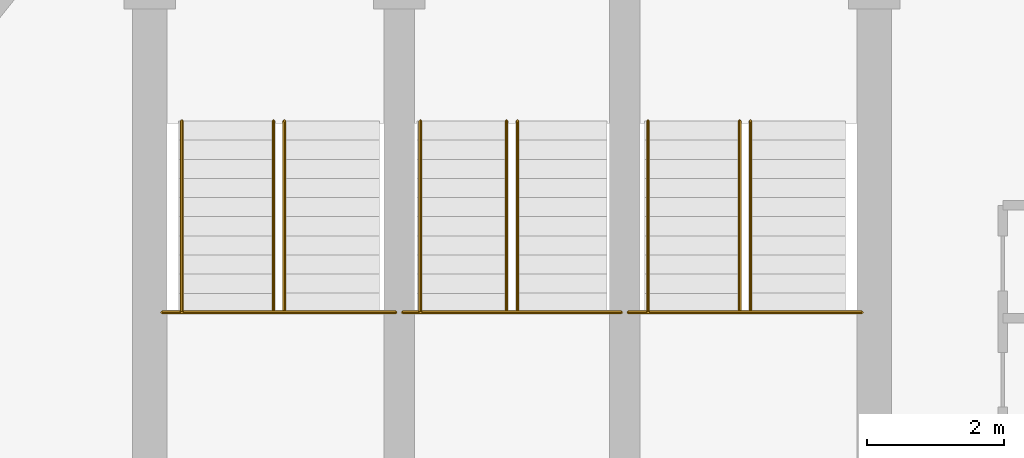
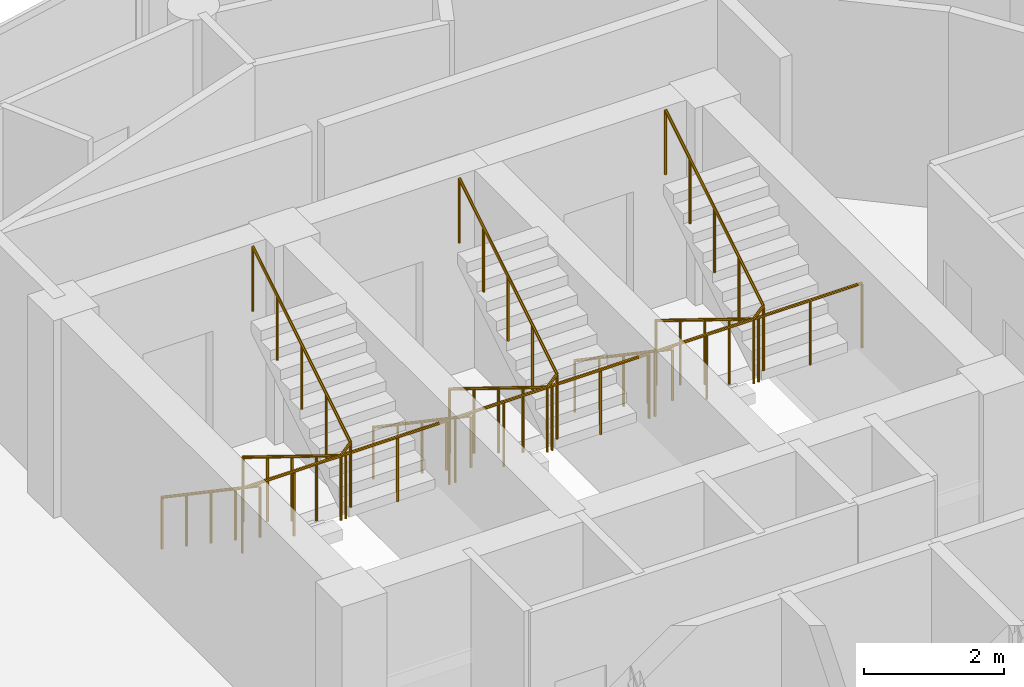
# One storey, part 24 of 24: 9 railings.
"""IFC4 building model written with IfcOpenShell, lengths in metres."""

from ifc_helpers import new_model, si_unit, direction, frame, origin, place, context, subcontext, project, spatial, polyline, outline, extrude, material, type_object, element, save


model = new_model("IFC4")

# Units and contexts
model_context = context("Model", 3, precision=1e-05, world=origin(), true_north=direction((0.0, 1.0)))
body_context = subcontext(model_context, "Body", "Model", "MODEL_VIEW")
ifc_project = project(units=[si_unit("LENGTHUNIT", "METRE"), si_unit("AREAUNIT", "SQUARE_METRE"), si_unit("VOLUMEUNIT", "CUBIC_METRE"), si_unit("PLANEANGLEUNIT", "RADIAN"), si_unit("MASSUNIT", "GRAM", prefix="KILO")], contexts=[model_context])

# Site, building, storey
site_placement = place(None, origin())
site = spatial("IfcSite", under=ifc_project, at=site_placement, CompositionType="ELEMENT")
building_placement = place(site_placement, origin())
building = spatial("IfcBuilding", under=site, at=building_placement, Name="Nuhasar Tower", CompositionType="ELEMENT")
storey_placement = place(building_placement, frame((0.0, 0.0, 297.39990234375)))
storey = spatial("IfcBuildingStorey", under=building, at=storey_placement, Name="L74", CompositionType="ELEMENT", Elevation=297.39990234375)

# Railings
ifc_material_1 = material(Name="Steel S355", Category="steel")
railing_type_1 = type_object("IfcRailingType", Name="RLG-STAIR-GUARD-1150", PredefinedType="GUARDRAIL", material=ifc_material_1)
railing_1_placement = place(storey_placement, frame((33.8798828125, 32.485107421875, 1.900146484375)))
element("IfcRailing", 1, at=railing_1_placement, inside=storey, type_object=railing_type_1, Name="L74 Stair ST-01 Guardrail LND", PredefinedType="GUARDRAIL", context=body_context, shape_type="SweptSolid", body=[
    extrude(outline(polyline([(0.024169921875, 0.0), (0.01708984375, 0.01708984375), (0.0, 0.024169921875), (-0.01708984375, 0.01708984375), (-0.024169921875, 0.0), (-0.01708984375, -0.01708984375), (0.0, -0.024169921875), (0.01708984375, -0.01708984375), (0.024169921875, 0.0)])), frame((0.0, 0.0, 1.1259765625), z_axis=(1.0, 0.0, 0.0), x_axis=(0.0, 1.0, 0.0)), (0.0, 0.0, 1.0), 3.420166015625),
    extrude(outline(polyline([(0.02099609375, 0.0), (0.014892578125, 0.014892578125), (0.0, 0.02099609375), (-0.014892578125, 0.014892578125), (-0.02099609375, 0.0), (-0.014892578125, -0.014892578125), (0.0, -0.02099609375), (0.014892578125, -0.014892578125), (0.02099609375, 0.0)])), origin(), (0.0, 0.0, 1.0), 1.101806640625),
    extrude(outline(polyline([(0.02099609375, 0.0), (0.014892578125, 0.014892578125), (0.0, 0.02099609375), (-0.014892578125, 0.014892578125), (-0.02099609375, 0.0), (-0.014892578125, -0.014892578125), (0.0, -0.02099609375), (0.014892578125, -0.014892578125), (0.02099609375, 0.0)])), frame((0.85498046875, 0.0, 0.0)), (0.0, 0.0, 1.0), 1.101806640625),
    extrude(outline(polyline([(0.02099609375, 0.0), (0.014892578125, 0.014892578125), (0.0, 0.02099609375), (-0.014892578125, 0.014892578125), (-0.02099609375, 0.0), (-0.014892578125, -0.014892578125), (0.0, -0.02099609375), (0.014892578125, -0.014892578125), (0.02099609375, 0.0)])), frame((1.7099609375, 0.0, 0.0)), (0.0, 0.0, 1.0), 1.101806640625),
    extrude(outline(polyline([(0.02099609375, 0.0), (0.014892578125, 0.014892578125), (0.0, 0.02099609375), (-0.014892578125, 0.014892578125), (-0.02099609375, 0.0), (-0.014892578125, -0.014892578125), (0.0, -0.02099609375), (0.014892578125, -0.014892578125), (0.02099609375, 0.0)])), frame((2.565185546875, 0.0, 0.0)), (0.0, 0.0, 1.0), 1.101806640625),
    extrude(outline(polyline([(0.02099609375, 0.0), (0.014892578125, 0.014892578125), (0.0, 0.02099609375), (-0.014892578125, 0.014892578125), (-0.02099609375, 0.0), (-0.014892578125, -0.014892578125), (0.0, -0.02099609375), (0.014892578125, -0.014892578125), (0.02099609375, 0.0)])), frame((3.420166015625, 0.0, 0.0)), (0.0, 0.0, 1.0), 1.101806640625),
])
railing_2_placement = place(storey_placement, frame((35.510009765625, 35.284912109375, 0.173095703125)))
element("IfcRailing", 2, at=railing_2_placement, inside=storey, type_object=railing_type_1, Name="L74 Stair ST-01 Guardrail SLT", PredefinedType="GUARDRAIL", context=body_context, shape_type="SweptSolid", body=[
    extrude(outline(polyline([(0.024169921875, 0.0), (0.01708984375, 0.01708984375), (0.0, 0.024169921875), (-0.01708984375, 0.01708984375), (-0.024169921875, 0.0), (-0.01708984375, -0.01708984375), (0.0, -0.024169921875), (0.01708984375, -0.01708984375), (0.024169921875, 0.0)])), frame((0.0, 0.0, 1.1259765625), z_axis=(0.0, -0.851102337555, 0.524999820009), x_axis=(1.0, 0.0, 0.0)), (0.0, 0.0, 1.0), 3.28955078125),
    extrude(outline(polyline([(0.024169921875, 0.0), (0.01708984375, 0.01708984375), (0.0, 0.024169921875), (-0.01708984375, 0.01708984375), (-0.024169921875, 0.0), (-0.01708984375, -0.01708984375), (0.0, -0.024169921875), (0.01708984375, -0.01708984375), (0.024169921875, 0.0)])), frame((0.0, -2.7998046875, 2.85302734375), z_axis=(0.679097852503, 0.0, 0.734047755072), x_axis=(0.0, 1.0, 0.0)), (0.0, 0.0, 1.0), 0.235595703125),
    extrude(outline(polyline([(0.024169921875, 0.0), (0.01708984375, 0.01708984375), (0.0, 0.024169921875), (-0.01708984375, 0.01708984375), (-0.024169921875, 0.0), (-0.01708984375, -0.01708984375), (0.0, -0.024169921875), (0.01708984375, -0.01708984375), (0.024169921875, 0.0)])), frame((0.159912109375, -2.7998046875, 3.02587890625), z_axis=(0.0, 0.851102337555, 0.524999820009), x_axis=(-1.0, 0.0, 0.0)), (0.0, 0.0, 1.0), 3.28955078125),
    extrude(outline(polyline([(0.02099609375, 0.0), (0.014892578125, 0.014892578125), (0.0, 0.02099609375), (-0.014892578125, 0.014892578125), (-0.02099609375, 0.0), (-0.014892578125, -0.014892578125), (0.0, -0.02099609375), (0.014892578125, -0.014892578125), (0.02099609375, 0.0)])), origin(), (0.0, 0.0, 1.0), 1.101806640625),
    extrude(outline(polyline([(0.02099609375, 0.0), (0.014892578125, 0.014892578125), (0.0, 0.02099609375), (-0.014892578125, 0.014892578125), (-0.02099609375, 0.0), (-0.014892578125, -0.014892578125), (0.0, -0.02099609375), (0.014892578125, -0.014892578125), (0.02099609375, 0.0)])), frame((0.0, -0.699951171875, 0.431640625)), (0.0, 0.0, 1.0), 1.101806640625),
    extrude(outline(polyline([(0.02099609375, 0.0), (0.014892578125, 0.014892578125), (0.0, 0.02099609375), (-0.014892578125, 0.014892578125), (-0.02099609375, 0.0), (-0.014892578125, -0.014892578125), (0.0, -0.02099609375), (0.014892578125, -0.014892578125), (0.02099609375, 0.0)])), frame((0.0, -1.39990234375, 0.863525390625)), (0.0, 0.0, 1.0), 1.101806640625),
    extrude(outline(polyline([(0.02099609375, 0.0), (0.014892578125, 0.014892578125), (0.0, 0.02099609375), (-0.014892578125, 0.014892578125), (-0.02099609375, 0.0), (-0.014892578125, -0.014892578125), (0.0, -0.02099609375), (0.014892578125, -0.014892578125), (0.02099609375, 0.0)])), frame((0.0, -2.099853515625, 1.29541015625)), (0.0, 0.0, 1.0), 1.101806640625),
    extrude(outline(polyline([(0.02099609375, 0.0), (0.014892578125, 0.014892578125), (0.0, 0.02099609375), (-0.014892578125, 0.014892578125), (-0.02099609375, 0.0), (-0.014892578125, -0.014892578125), (0.0, -0.02099609375), (0.014892578125, -0.014892578125), (0.02099609375, 0.0)])), frame((0.0, -2.7998046875, 1.72705078125)), (0.0, 0.0, 1.0), 1.101806640625),
    extrude(outline(polyline([(0.02099609375, 0.0), (0.014892578125, 0.014892578125), (0.0, 0.02099609375), (-0.014892578125, 0.014892578125), (-0.02099609375, 0.0), (-0.014892578125, -0.014892578125), (0.0, -0.02099609375), (0.014892578125, -0.014892578125), (0.02099609375, 0.0)])), frame((0.159912109375, -2.7998046875, 1.89990234375)), (0.0, 0.0, 1.0), 1.101806640625),
    extrude(outline(polyline([(0.02099609375, 0.0), (0.014892578125, 0.014892578125), (0.0, 0.02099609375), (-0.014892578125, 0.014892578125), (-0.02099609375, 0.0), (-0.014892578125, -0.014892578125), (0.0, -0.02099609375), (0.014892578125, -0.014892578125), (0.02099609375, 0.0)])), frame((0.159912109375, -2.099853515625, 2.33154296875)), (0.0, 0.0, 1.0), 1.101806640625),
    extrude(outline(polyline([(0.02099609375, 0.0), (0.014892578125, 0.014892578125), (0.0, 0.02099609375), (-0.014892578125, 0.014892578125), (-0.02099609375, 0.0), (-0.014892578125, -0.014892578125), (0.0, -0.02099609375), (0.014892578125, -0.014892578125), (0.02099609375, 0.0)])), frame((0.159912109375, -1.39990234375, 2.763427734375)), (0.0, 0.0, 1.0), 1.101806640625),
    extrude(outline(polyline([(0.02099609375, 0.0), (0.014892578125, 0.014892578125), (0.0, 0.02099609375), (-0.014892578125, 0.014892578125), (-0.02099609375, 0.0), (-0.014892578125, -0.014892578125), (0.0, -0.02099609375), (0.014892578125, -0.014892578125), (0.02099609375, 0.0)])), frame((0.159912109375, -0.699951171875, 3.1953125)), (0.0, 0.0, 1.0), 1.101806640625),
    extrude(outline(polyline([(0.02099609375, 0.0), (0.014892578125, 0.014892578125), (0.0, 0.02099609375), (-0.014892578125, 0.014892578125), (-0.02099609375, 0.0), (-0.014892578125, -0.014892578125), (0.0, -0.02099609375), (0.014892578125, -0.014892578125), (0.02099609375, 0.0)])), frame((0.159912109375, 0.0, 3.626953125)), (0.0, 0.0, 1.0), 1.101806640625),
])
railing_3_placement = place(storey_placement, frame((37.39990234375, 32.485107421875, 1.900146484375)))
element("IfcRailing", 3, at=railing_3_placement, inside=storey, type_object=railing_type_1, Name="L74 Stair ST-03 Guardrail LND", PredefinedType="GUARDRAIL", context=body_context, shape_type="SweptSolid", body=[
    extrude(outline(polyline([(0.024169921875, 0.0), (0.01708984375, 0.01708984375), (0.0, 0.024169921875), (-0.01708984375, 0.01708984375), (-0.024169921875, 0.0), (-0.01708984375, -0.01708984375), (0.0, -0.024169921875), (0.01708984375, -0.01708984375), (0.024169921875, 0.0)])), frame((0.0, 0.0, 1.1259765625), z_axis=(1.0, 0.0, 0.0), x_axis=(0.0, 1.0, 0.0)), (0.0, 0.0, 1.0), 3.2001953125),
    extrude(outline(polyline([(0.02099609375, 0.0), (0.014892578125, 0.014892578125), (0.0, 0.02099609375), (-0.014892578125, 0.014892578125), (-0.02099609375, 0.0), (-0.014892578125, -0.014892578125), (0.0, -0.02099609375), (0.014892578125, -0.014892578125), (0.02099609375, 0.0)])), origin(), (0.0, 0.0, 1.0), 1.101806640625),
    extrude(outline(polyline([(0.02099609375, 0.0), (0.014892578125, 0.014892578125), (0.0, 0.02099609375), (-0.014892578125, 0.014892578125), (-0.02099609375, 0.0), (-0.014892578125, -0.014892578125), (0.0, -0.02099609375), (0.014892578125, -0.014892578125), (0.02099609375, 0.0)])), frame((0.800048828125, 0.0, 0.0)), (0.0, 0.0, 1.0), 1.101806640625),
    extrude(outline(polyline([(0.02099609375, 0.0), (0.014892578125, 0.014892578125), (0.0, 0.02099609375), (-0.014892578125, 0.014892578125), (-0.02099609375, 0.0), (-0.014892578125, -0.014892578125), (0.0, -0.02099609375), (0.014892578125, -0.014892578125), (0.02099609375, 0.0)])), frame((1.60009765625, 0.0, 0.0)), (0.0, 0.0, 1.0), 1.101806640625),
    extrude(outline(polyline([(0.02099609375, 0.0), (0.014892578125, 0.014892578125), (0.0, 0.02099609375), (-0.014892578125, 0.014892578125), (-0.02099609375, 0.0), (-0.014892578125, -0.014892578125), (0.0, -0.02099609375), (0.014892578125, -0.014892578125), (0.02099609375, 0.0)])), frame((2.400146484375, 0.0, 0.0)), (0.0, 0.0, 1.0), 1.101806640625),
    extrude(outline(polyline([(0.02099609375, 0.0), (0.014892578125, 0.014892578125), (0.0, 0.02099609375), (-0.014892578125, 0.014892578125), (-0.02099609375, 0.0), (-0.014892578125, -0.014892578125), (0.0, -0.02099609375), (0.014892578125, -0.014892578125), (0.02099609375, 0.0)])), frame((3.2001953125, 0.0, 0.0)), (0.0, 0.0, 1.0), 1.101806640625),
])
railing_4_placement = place(storey_placement, frame((38.919921875, 35.284912109375, 0.173095703125)))
element("IfcRailing", 4, at=railing_4_placement, inside=storey, type_object=railing_type_1, Name="L74 Stair ST-03 Guardrail SLT", PredefinedType="GUARDRAIL", context=body_context, shape_type="SweptSolid", body=[
    extrude(outline(polyline([(0.024169921875, 0.0), (0.01708984375, 0.01708984375), (0.0, 0.024169921875), (-0.01708984375, 0.01708984375), (-0.024169921875, 0.0), (-0.01708984375, -0.01708984375), (0.0, -0.024169921875), (0.01708984375, -0.01708984375), (0.024169921875, 0.0)])), frame((0.0, 0.0, 1.1259765625), z_axis=(0.0, -0.851102337555, 0.524999820009), x_axis=(1.0, 0.0, 0.0)), (0.0, 0.0, 1.0), 3.28955078125),
    extrude(outline(polyline([(0.024169921875, 0.0), (0.01708984375, 0.01708984375), (0.0, 0.024169921875), (-0.01708984375, 0.01708984375), (-0.024169921875, 0.0), (-0.01708984375, -0.01708984375), (0.0, -0.024169921875), (0.01708984375, -0.01708984375), (0.024169921875, 0.0)])), frame((0.0, -2.7998046875, 2.85302734375), z_axis=(0.679655912742, 0.0, 0.733531076557), x_axis=(0.0, 1.0, 0.0)), (0.0, 0.0, 1.0), 0.235595703125),
    extrude(outline(polyline([(0.024169921875, 0.0), (0.01708984375, 0.01708984375), (0.0, 0.024169921875), (-0.01708984375, 0.01708984375), (-0.024169921875, 0.0), (-0.01708984375, -0.01708984375), (0.0, -0.024169921875), (0.01708984375, -0.01708984375), (0.024169921875, 0.0)])), frame((0.16015625, -2.7998046875, 3.02587890625), z_axis=(0.0, 0.851102337555, 0.524999820009), x_axis=(-1.0, 0.0, 0.0)), (0.0, 0.0, 1.0), 3.28955078125),
    extrude(outline(polyline([(0.02099609375, 0.0), (0.014892578125, 0.014892578125), (0.0, 0.02099609375), (-0.014892578125, 0.014892578125), (-0.02099609375, 0.0), (-0.014892578125, -0.014892578125), (0.0, -0.02099609375), (0.014892578125, -0.014892578125), (0.02099609375, 0.0)])), origin(), (0.0, 0.0, 1.0), 1.101806640625),
    extrude(outline(polyline([(0.02099609375, 0.0), (0.014892578125, 0.014892578125), (0.0, 0.02099609375), (-0.014892578125, 0.014892578125), (-0.02099609375, 0.0), (-0.014892578125, -0.014892578125), (0.0, -0.02099609375), (0.014892578125, -0.014892578125), (0.02099609375, 0.0)])), frame((0.0, -0.699951171875, 0.431640625)), (0.0, 0.0, 1.0), 1.101806640625),
    extrude(outline(polyline([(0.02099609375, 0.0), (0.014892578125, 0.014892578125), (0.0, 0.02099609375), (-0.014892578125, 0.014892578125), (-0.02099609375, 0.0), (-0.014892578125, -0.014892578125), (0.0, -0.02099609375), (0.014892578125, -0.014892578125), (0.02099609375, 0.0)])), frame((0.0, -1.39990234375, 0.863525390625)), (0.0, 0.0, 1.0), 1.101806640625),
    extrude(outline(polyline([(0.02099609375, 0.0), (0.014892578125, 0.014892578125), (0.0, 0.02099609375), (-0.014892578125, 0.014892578125), (-0.02099609375, 0.0), (-0.014892578125, -0.014892578125), (0.0, -0.02099609375), (0.014892578125, -0.014892578125), (0.02099609375, 0.0)])), frame((0.0, -2.099853515625, 1.29541015625)), (0.0, 0.0, 1.0), 1.101806640625),
    extrude(outline(polyline([(0.02099609375, 0.0), (0.014892578125, 0.014892578125), (0.0, 0.02099609375), (-0.014892578125, 0.014892578125), (-0.02099609375, 0.0), (-0.014892578125, -0.014892578125), (0.0, -0.02099609375), (0.014892578125, -0.014892578125), (0.02099609375, 0.0)])), frame((0.0, -2.7998046875, 1.72705078125)), (0.0, 0.0, 1.0), 1.101806640625),
    extrude(outline(polyline([(0.02099609375, 0.0), (0.014892578125, 0.014892578125), (0.0, 0.02099609375), (-0.014892578125, 0.014892578125), (-0.02099609375, 0.0), (-0.014892578125, -0.014892578125), (0.0, -0.02099609375), (0.014892578125, -0.014892578125), (0.02099609375, 0.0)])), frame((0.16015625, -2.7998046875, 1.89990234375)), (0.0, 0.0, 1.0), 1.101806640625),
    extrude(outline(polyline([(0.02099609375, 0.0), (0.014892578125, 0.014892578125), (0.0, 0.02099609375), (-0.014892578125, 0.014892578125), (-0.02099609375, 0.0), (-0.014892578125, -0.014892578125), (0.0, -0.02099609375), (0.014892578125, -0.014892578125), (0.02099609375, 0.0)])), frame((0.16015625, -2.099853515625, 2.33154296875)), (0.0, 0.0, 1.0), 1.101806640625),
    extrude(outline(polyline([(0.02099609375, 0.0), (0.014892578125, 0.014892578125), (0.0, 0.02099609375), (-0.014892578125, 0.014892578125), (-0.02099609375, 0.0), (-0.014892578125, -0.014892578125), (0.0, -0.02099609375), (0.014892578125, -0.014892578125), (0.02099609375, 0.0)])), frame((0.16015625, -1.39990234375, 2.763427734375)), (0.0, 0.0, 1.0), 1.101806640625),
    extrude(outline(polyline([(0.02099609375, 0.0), (0.014892578125, 0.014892578125), (0.0, 0.02099609375), (-0.014892578125, 0.014892578125), (-0.02099609375, 0.0), (-0.014892578125, -0.014892578125), (0.0, -0.02099609375), (0.014892578125, -0.014892578125), (0.02099609375, 0.0)])), frame((0.16015625, -0.699951171875, 3.1953125)), (0.0, 0.0, 1.0), 1.101806640625),
    extrude(outline(polyline([(0.02099609375, 0.0), (0.014892578125, 0.014892578125), (0.0, 0.02099609375), (-0.014892578125, 0.014892578125), (-0.02099609375, 0.0), (-0.014892578125, -0.014892578125), (0.0, -0.02099609375), (0.014892578125, -0.014892578125), (0.02099609375, 0.0)])), frame((0.16015625, 0.0, 3.626953125)), (0.0, 0.0, 1.0), 1.101806640625),
])
railing_5_placement = place(storey_placement, frame((40.699951171875, 32.485107421875, 1.900146484375)))
element("IfcRailing", 5, at=railing_5_placement, inside=storey, type_object=railing_type_1, Name="L74 Stair ST-02 Guardrail LND", PredefinedType="GUARDRAIL", context=body_context, shape_type="SweptSolid", body=[
    extrude(outline(polyline([(0.024169921875, 0.0), (0.01708984375, 0.01708984375), (0.0, 0.024169921875), (-0.01708984375, 0.01708984375), (-0.024169921875, 0.0), (-0.01708984375, -0.01708984375), (0.0, -0.024169921875), (0.01708984375, -0.01708984375), (0.024169921875, 0.0)])), frame((0.0, 0.0, 1.1259765625), z_axis=(1.0, 0.0, 0.0), x_axis=(0.0, 1.0, 0.0)), (0.0, 0.0, 1.0), 3.420166015625),
    extrude(outline(polyline([(0.02099609375, 0.0), (0.014892578125, 0.014892578125), (0.0, 0.02099609375), (-0.014892578125, 0.014892578125), (-0.02099609375, 0.0), (-0.014892578125, -0.014892578125), (0.0, -0.02099609375), (0.014892578125, -0.014892578125), (0.02099609375, 0.0)])), origin(), (0.0, 0.0, 1.0), 1.101806640625),
    extrude(outline(polyline([(0.02099609375, 0.0), (0.014892578125, 0.014892578125), (0.0, 0.02099609375), (-0.014892578125, 0.014892578125), (-0.02099609375, 0.0), (-0.014892578125, -0.014892578125), (0.0, -0.02099609375), (0.014892578125, -0.014892578125), (0.02099609375, 0.0)])), frame((0.85498046875, 0.0, 0.0)), (0.0, 0.0, 1.0), 1.101806640625),
    extrude(outline(polyline([(0.02099609375, 0.0), (0.014892578125, 0.014892578125), (0.0, 0.02099609375), (-0.014892578125, 0.014892578125), (-0.02099609375, 0.0), (-0.014892578125, -0.014892578125), (0.0, -0.02099609375), (0.014892578125, -0.014892578125), (0.02099609375, 0.0)])), frame((1.7099609375, 0.0, 0.0)), (0.0, 0.0, 1.0), 1.101806640625),
    extrude(outline(polyline([(0.02099609375, 0.0), (0.014892578125, 0.014892578125), (0.0, 0.02099609375), (-0.014892578125, 0.014892578125), (-0.02099609375, 0.0), (-0.014892578125, -0.014892578125), (0.0, -0.02099609375), (0.014892578125, -0.014892578125), (0.02099609375, 0.0)])), frame((2.565185546875, 0.0, 0.0)), (0.0, 0.0, 1.0), 1.101806640625),
    extrude(outline(polyline([(0.02099609375, 0.0), (0.014892578125, 0.014892578125), (0.0, 0.02099609375), (-0.014892578125, 0.014892578125), (-0.02099609375, 0.0), (-0.014892578125, -0.014892578125), (0.0, -0.02099609375), (0.014892578125, -0.014892578125), (0.02099609375, 0.0)])), frame((3.420166015625, 0.0, 0.0)), (0.0, 0.0, 1.0), 1.101806640625),
])
railing_6_placement = place(storey_placement, frame((42.330078125, 35.284912109375, 0.173095703125)))
element("IfcRailing", 6, at=railing_6_placement, inside=storey, type_object=railing_type_1, Name="L74 Stair ST-02 Guardrail SLT", PredefinedType="GUARDRAIL", context=body_context, shape_type="SweptSolid", body=[
    extrude(outline(polyline([(0.024169921875, 0.0), (0.01708984375, 0.01708984375), (0.0, 0.024169921875), (-0.01708984375, 0.01708984375), (-0.024169921875, 0.0), (-0.01708984375, -0.01708984375), (0.0, -0.024169921875), (0.01708984375, -0.01708984375), (0.024169921875, 0.0)])), frame((0.0, 0.0, 1.1259765625), z_axis=(0.0, -0.851102337555, 0.524999820009), x_axis=(1.0, 0.0, 0.0)), (0.0, 0.0, 1.0), 3.28955078125),
    extrude(outline(polyline([(0.024169921875, 0.0), (0.01708984375, 0.01708984375), (0.0, 0.024169921875), (-0.01708984375, 0.01708984375), (-0.024169921875, 0.0), (-0.01708984375, -0.01708984375), (0.0, -0.024169921875), (0.01708984375, -0.01708984375), (0.024169921875, 0.0)])), frame((0.0, -2.7998046875, 2.85302734375), z_axis=(0.679097852503, 0.0, 0.734047755072), x_axis=(0.0, 1.0, 0.0)), (0.0, 0.0, 1.0), 0.235595703125),
    extrude(outline(polyline([(0.024169921875, 0.0), (0.01708984375, 0.01708984375), (0.0, 0.024169921875), (-0.01708984375, 0.01708984375), (-0.024169921875, 0.0), (-0.01708984375, -0.01708984375), (0.0, -0.024169921875), (0.01708984375, -0.01708984375), (0.024169921875, 0.0)])), frame((0.159912109375, -2.7998046875, 3.02587890625), z_axis=(0.0, 0.851102337555, 0.524999820009), x_axis=(-1.0, 0.0, 0.0)), (0.0, 0.0, 1.0), 3.28955078125),
    extrude(outline(polyline([(0.02099609375, 0.0), (0.014892578125, 0.014892578125), (0.0, 0.02099609375), (-0.014892578125, 0.014892578125), (-0.02099609375, 0.0), (-0.014892578125, -0.014892578125), (0.0, -0.02099609375), (0.014892578125, -0.014892578125), (0.02099609375, 0.0)])), origin(), (0.0, 0.0, 1.0), 1.101806640625),
    extrude(outline(polyline([(0.02099609375, 0.0), (0.014892578125, 0.014892578125), (0.0, 0.02099609375), (-0.014892578125, 0.014892578125), (-0.02099609375, 0.0), (-0.014892578125, -0.014892578125), (0.0, -0.02099609375), (0.014892578125, -0.014892578125), (0.02099609375, 0.0)])), frame((0.0, -0.699951171875, 0.431640625)), (0.0, 0.0, 1.0), 1.101806640625),
    extrude(outline(polyline([(0.02099609375, 0.0), (0.014892578125, 0.014892578125), (0.0, 0.02099609375), (-0.014892578125, 0.014892578125), (-0.02099609375, 0.0), (-0.014892578125, -0.014892578125), (0.0, -0.02099609375), (0.014892578125, -0.014892578125), (0.02099609375, 0.0)])), frame((0.0, -1.39990234375, 0.863525390625)), (0.0, 0.0, 1.0), 1.101806640625),
    extrude(outline(polyline([(0.02099609375, 0.0), (0.014892578125, 0.014892578125), (0.0, 0.02099609375), (-0.014892578125, 0.014892578125), (-0.02099609375, 0.0), (-0.014892578125, -0.014892578125), (0.0, -0.02099609375), (0.014892578125, -0.014892578125), (0.02099609375, 0.0)])), frame((0.0, -2.099853515625, 1.29541015625)), (0.0, 0.0, 1.0), 1.101806640625),
    extrude(outline(polyline([(0.02099609375, 0.0), (0.014892578125, 0.014892578125), (0.0, 0.02099609375), (-0.014892578125, 0.014892578125), (-0.02099609375, 0.0), (-0.014892578125, -0.014892578125), (0.0, -0.02099609375), (0.014892578125, -0.014892578125), (0.02099609375, 0.0)])), frame((0.0, -2.7998046875, 1.72705078125)), (0.0, 0.0, 1.0), 1.101806640625),
    extrude(outline(polyline([(0.02099609375, 0.0), (0.014892578125, 0.014892578125), (0.0, 0.02099609375), (-0.014892578125, 0.014892578125), (-0.02099609375, 0.0), (-0.014892578125, -0.014892578125), (0.0, -0.02099609375), (0.014892578125, -0.014892578125), (0.02099609375, 0.0)])), frame((0.159912109375, -2.7998046875, 1.89990234375)), (0.0, 0.0, 1.0), 1.101806640625),
    extrude(outline(polyline([(0.02099609375, 0.0), (0.014892578125, 0.014892578125), (0.0, 0.02099609375), (-0.014892578125, 0.014892578125), (-0.02099609375, 0.0), (-0.014892578125, -0.014892578125), (0.0, -0.02099609375), (0.014892578125, -0.014892578125), (0.02099609375, 0.0)])), frame((0.159912109375, -2.099853515625, 2.33154296875)), (0.0, 0.0, 1.0), 1.101806640625),
    extrude(outline(polyline([(0.02099609375, 0.0), (0.014892578125, 0.014892578125), (0.0, 0.02099609375), (-0.014892578125, 0.014892578125), (-0.02099609375, 0.0), (-0.014892578125, -0.014892578125), (0.0, -0.02099609375), (0.014892578125, -0.014892578125), (0.02099609375, 0.0)])), frame((0.159912109375, -1.39990234375, 2.763427734375)), (0.0, 0.0, 1.0), 1.101806640625),
    extrude(outline(polyline([(0.02099609375, 0.0), (0.014892578125, 0.014892578125), (0.0, 0.02099609375), (-0.014892578125, 0.014892578125), (-0.02099609375, 0.0), (-0.014892578125, -0.014892578125), (0.0, -0.02099609375), (0.014892578125, -0.014892578125), (0.02099609375, 0.0)])), frame((0.159912109375, -0.699951171875, 3.1953125)), (0.0, 0.0, 1.0), 1.101806640625),
    extrude(outline(polyline([(0.02099609375, 0.0), (0.014892578125, 0.014892578125), (0.0, 0.02099609375), (-0.014892578125, 0.014892578125), (-0.02099609375, 0.0), (-0.014892578125, -0.014892578125), (0.0, -0.02099609375), (0.014892578125, -0.014892578125), (0.02099609375, 0.0)])), frame((0.159912109375, 0.0, 3.626953125)), (0.0, 0.0, 1.0), 1.101806640625),
])
ifc_material_2 = material(Name="Stainless Steel 316L", Category="steel")
railing_type_2 = type_object("IfcRailingType", Name="RLG-STAIR-HAND-920", PredefinedType="HANDRAIL", material=ifc_material_2)
railing_7_placement = place(storey_placement, frame((34.169921875, 35.284912109375, 0.173095703125)))
element("IfcRailing", 7, at=railing_7_placement, inside=storey, type_object=railing_type_2, Name="L74 Stair ST-01 Handrail HND1", PredefinedType="HANDRAIL", context=body_context, shape_type="SweptSolid", body=[
    extrude(outline(polyline([(0.024169921875, 0.0), (0.01708984375, 0.01708984375), (0.0, 0.024169921875), (-0.01708984375, 0.01708984375), (-0.024169921875, 0.0), (-0.01708984375, -0.01708984375), (0.0, -0.024169921875), (0.01708984375, -0.01708984375), (0.024169921875, 0.0)])), frame((0.0, 0.0, 0.89599609375), z_axis=(0.0, -0.827470985049, 0.561508476251), x_axis=(1.0, 0.0, 0.0)), (0.0, 0.0, 1.0), 3.383544921875),
    extrude(outline(polyline([(0.02099609375, 0.0), (0.014892578125, 0.014892578125), (0.0, 0.02099609375), (-0.014892578125, 0.014892578125), (-0.02099609375, 0.0), (-0.014892578125, -0.014892578125), (0.0, -0.02099609375), (0.014892578125, -0.014892578125), (0.02099609375, 0.0)])), origin(), (0.0, 0.0, 1.0), 0.871826171875),
    extrude(outline(polyline([(0.02099609375, 0.0), (0.014892578125, 0.014892578125), (0.0, 0.02099609375), (-0.014892578125, 0.014892578125), (-0.02099609375, 0.0), (-0.014892578125, -0.014892578125), (0.0, -0.02099609375), (0.014892578125, -0.014892578125), (0.02099609375, 0.0)])), frame((0.0, -0.699951171875, 0.47509765625)), (0.0, 0.0, 1.0), 0.871826171875),
    extrude(outline(polyline([(0.02099609375, 0.0), (0.014892578125, 0.014892578125), (0.0, 0.02099609375), (-0.014892578125, 0.014892578125), (-0.02099609375, 0.0), (-0.014892578125, -0.014892578125), (0.0, -0.02099609375), (0.014892578125, -0.014892578125), (0.02099609375, 0.0)])), frame((0.0, -1.39990234375, 0.949951171875)), (0.0, 0.0, 1.0), 0.871826171875),
    extrude(outline(polyline([(0.02099609375, 0.0), (0.014892578125, 0.014892578125), (0.0, 0.02099609375), (-0.014892578125, 0.014892578125), (-0.02099609375, 0.0), (-0.014892578125, -0.014892578125), (0.0, -0.02099609375), (0.014892578125, -0.014892578125), (0.02099609375, 0.0)])), frame((0.0, -2.099853515625, 1.4248046875)), (0.0, 0.0, 1.0), 0.871826171875),
    extrude(outline(polyline([(0.02099609375, 0.0), (0.014892578125, 0.014892578125), (0.0, 0.02099609375), (-0.014892578125, 0.014892578125), (-0.02099609375, 0.0), (-0.014892578125, -0.014892578125), (0.0, -0.02099609375), (0.014892578125, -0.014892578125), (0.02099609375, 0.0)])), frame((0.0, -2.7998046875, 1.89990234375)), (0.0, 0.0, 1.0), 0.871826171875),
])
railing_8_placement = place(storey_placement, frame((37.659912109375, 35.284912109375, 0.173095703125)))
element("IfcRailing", 8, at=railing_8_placement, inside=storey, type_object=railing_type_2, Name="L74 Stair ST-03 Handrail HND1", PredefinedType="HANDRAIL", context=body_context, shape_type="SweptSolid", body=[
    extrude(outline(polyline([(0.024169921875, 0.0), (0.01708984375, 0.01708984375), (0.0, 0.024169921875), (-0.01708984375, 0.01708984375), (-0.024169921875, 0.0), (-0.01708984375, -0.01708984375), (0.0, -0.024169921875), (0.01708984375, -0.01708984375), (0.024169921875, 0.0)])), frame((0.0, 0.0, 0.89599609375), z_axis=(0.0, -0.827470985049, 0.561508476251), x_axis=(1.0, 0.0, 0.0)), (0.0, 0.0, 1.0), 3.383544921875),
    extrude(outline(polyline([(0.02099609375, 0.0), (0.014892578125, 0.014892578125), (0.0, 0.02099609375), (-0.014892578125, 0.014892578125), (-0.02099609375, 0.0), (-0.014892578125, -0.014892578125), (0.0, -0.02099609375), (0.014892578125, -0.014892578125), (0.02099609375, 0.0)])), origin(), (0.0, 0.0, 1.0), 0.871826171875),
    extrude(outline(polyline([(0.02099609375, 0.0), (0.014892578125, 0.014892578125), (0.0, 0.02099609375), (-0.014892578125, 0.014892578125), (-0.02099609375, 0.0), (-0.014892578125, -0.014892578125), (0.0, -0.02099609375), (0.014892578125, -0.014892578125), (0.02099609375, 0.0)])), frame((0.0, -0.699951171875, 0.47509765625)), (0.0, 0.0, 1.0), 0.871826171875),
    extrude(outline(polyline([(0.02099609375, 0.0), (0.014892578125, 0.014892578125), (0.0, 0.02099609375), (-0.014892578125, 0.014892578125), (-0.02099609375, 0.0), (-0.014892578125, -0.014892578125), (0.0, -0.02099609375), (0.014892578125, -0.014892578125), (0.02099609375, 0.0)])), frame((0.0, -1.39990234375, 0.949951171875)), (0.0, 0.0, 1.0), 0.871826171875),
    extrude(outline(polyline([(0.02099609375, 0.0), (0.014892578125, 0.014892578125), (0.0, 0.02099609375), (-0.014892578125, 0.014892578125), (-0.02099609375, 0.0), (-0.014892578125, -0.014892578125), (0.0, -0.02099609375), (0.014892578125, -0.014892578125), (0.02099609375, 0.0)])), frame((0.0, -2.099853515625, 1.4248046875)), (0.0, 0.0, 1.0), 0.871826171875),
    extrude(outline(polyline([(0.02099609375, 0.0), (0.014892578125, 0.014892578125), (0.0, 0.02099609375), (-0.014892578125, 0.014892578125), (-0.02099609375, 0.0), (-0.014892578125, -0.014892578125), (0.0, -0.02099609375), (0.014892578125, -0.014892578125), (0.02099609375, 0.0)])), frame((0.0, -2.7998046875, 1.89990234375)), (0.0, 0.0, 1.0), 0.871826171875),
])
railing_9_placement = place(storey_placement, frame((40.989990234375, 35.284912109375, 0.173095703125)))
element("IfcRailing", 9, at=railing_9_placement, inside=storey, type_object=railing_type_2, Name="L74 Stair ST-02 Handrail HND1", PredefinedType="HANDRAIL", context=body_context, shape_type="SweptSolid", body=[
    extrude(outline(polyline([(0.024169921875, 0.0), (0.01708984375, 0.01708984375), (0.0, 0.024169921875), (-0.01708984375, 0.01708984375), (-0.024169921875, 0.0), (-0.01708984375, -0.01708984375), (0.0, -0.024169921875), (0.01708984375, -0.01708984375), (0.024169921875, 0.0)])), frame((0.0, 0.0, 0.89599609375), z_axis=(0.0, -0.827470985049, 0.561508476251), x_axis=(1.0, 0.0, 0.0)), (0.0, 0.0, 1.0), 3.383544921875),
    extrude(outline(polyline([(0.02099609375, 0.0), (0.014892578125, 0.014892578125), (0.0, 0.02099609375), (-0.014892578125, 0.014892578125), (-0.02099609375, 0.0), (-0.014892578125, -0.014892578125), (0.0, -0.02099609375), (0.014892578125, -0.014892578125), (0.02099609375, 0.0)])), origin(), (0.0, 0.0, 1.0), 0.871826171875),
    extrude(outline(polyline([(0.02099609375, 0.0), (0.014892578125, 0.014892578125), (0.0, 0.02099609375), (-0.014892578125, 0.014892578125), (-0.02099609375, 0.0), (-0.014892578125, -0.014892578125), (0.0, -0.02099609375), (0.014892578125, -0.014892578125), (0.02099609375, 0.0)])), frame((0.0, -0.699951171875, 0.47509765625)), (0.0, 0.0, 1.0), 0.871826171875),
    extrude(outline(polyline([(0.02099609375, 0.0), (0.014892578125, 0.014892578125), (0.0, 0.02099609375), (-0.014892578125, 0.014892578125), (-0.02099609375, 0.0), (-0.014892578125, -0.014892578125), (0.0, -0.02099609375), (0.014892578125, -0.014892578125), (0.02099609375, 0.0)])), frame((0.0, -1.39990234375, 0.949951171875)), (0.0, 0.0, 1.0), 0.871826171875),
    extrude(outline(polyline([(0.02099609375, 0.0), (0.014892578125, 0.014892578125), (0.0, 0.02099609375), (-0.014892578125, 0.014892578125), (-0.02099609375, 0.0), (-0.014892578125, -0.014892578125), (0.0, -0.02099609375), (0.014892578125, -0.014892578125), (0.02099609375, 0.0)])), frame((0.0, -2.099853515625, 1.4248046875)), (0.0, 0.0, 1.0), 0.871826171875),
    extrude(outline(polyline([(0.02099609375, 0.0), (0.014892578125, 0.014892578125), (0.0, 0.02099609375), (-0.014892578125, 0.014892578125), (-0.02099609375, 0.0), (-0.014892578125, -0.014892578125), (0.0, -0.02099609375), (0.014892578125, -0.014892578125), (0.02099609375, 0.0)])), frame((0.0, -2.7998046875, 1.89990234375)), (0.0, 0.0, 1.0), 0.871826171875),
])

save(model, "model.ifc")
